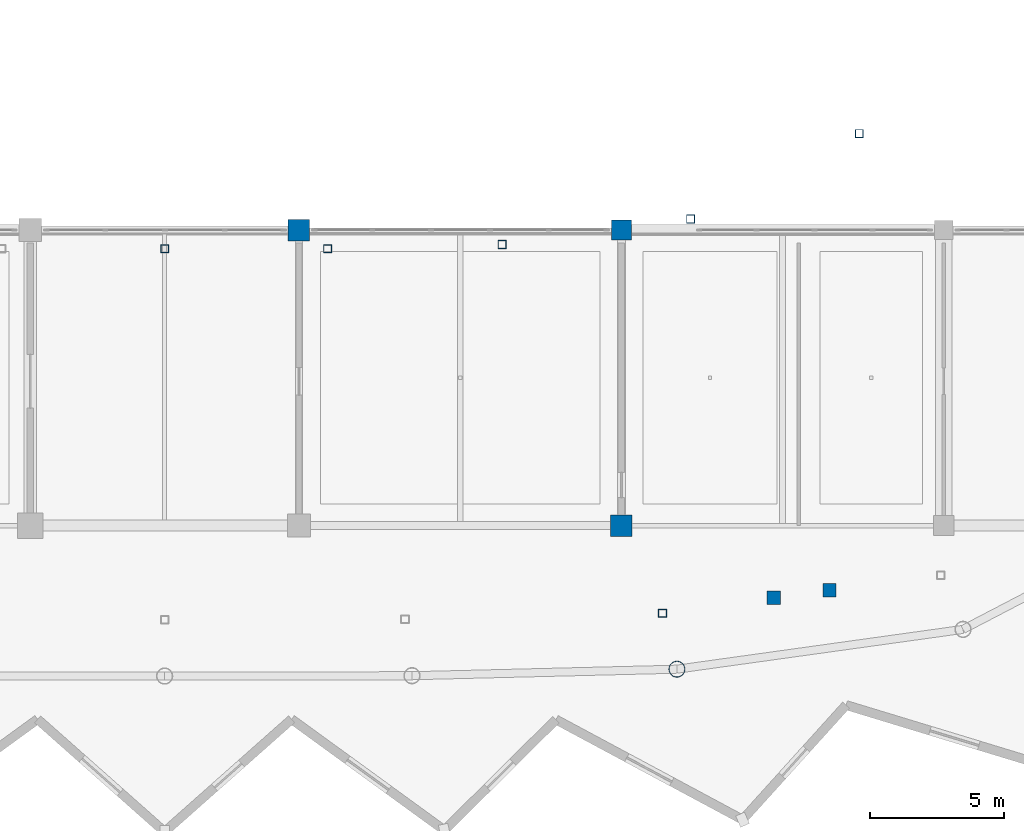
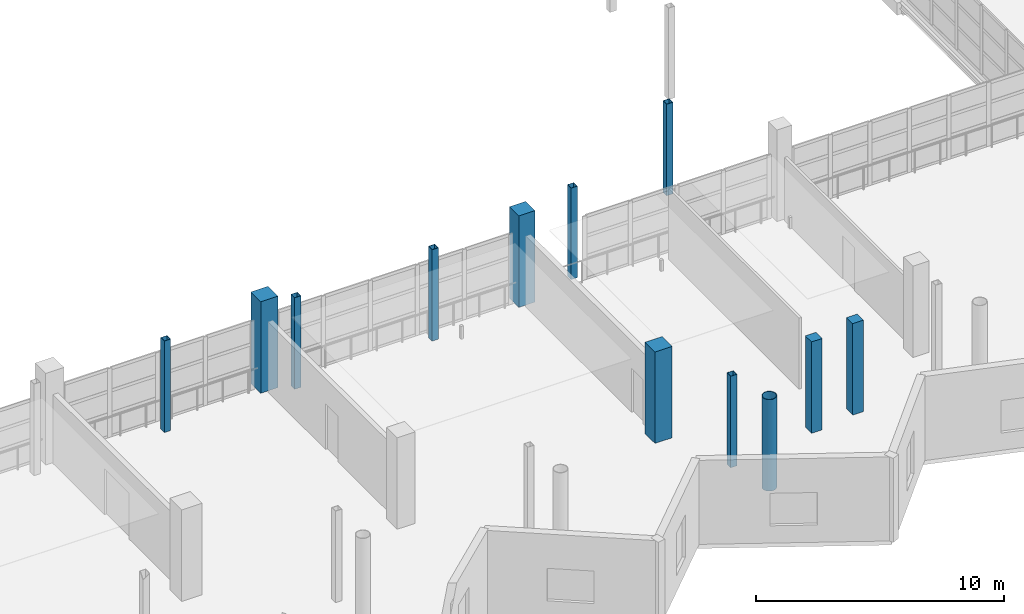
# One storey, part 6 of 118: 12 columns.
"""IFC4 building model written with IfcOpenShell, lengths in metres."""

from ifc_helpers import new_model, si_unit, direction, frame, origin, origin_2d, place, context, subcontext, project, spatial, rectangle, hollow_rectangle, hollow_circle, extrude, material, material_profile, profile_set, type_object, element, save


model = new_model("IFC4")

# Units and contexts
model_context = context("Model", 3, precision=1e-05, world=origin(), true_north=direction((0.0, 1.0)))
body_context = subcontext(model_context, "Body", "Model", "MODEL_VIEW")
ifc_project = project(units=[si_unit("LENGTHUNIT", "METRE"), si_unit("AREAUNIT", "SQUARE_METRE"), si_unit("VOLUMEUNIT", "CUBIC_METRE"), si_unit("PLANEANGLEUNIT", "RADIAN"), si_unit("MASSUNIT", "GRAM", prefix="KILO")], contexts=[model_context])

# Site, building, storey
site_placement = place(None, origin())
site = spatial("IfcSite", under=ifc_project, at=site_placement, CompositionType="ELEMENT")
building_placement = place(site_placement, origin())
building = spatial("IfcBuilding", under=site, at=building_placement, Name="Luwafu Chhajja Arena", CompositionType="ELEMENT")
storey_placement = place(building_placement, frame((0.0, 0.0, 10.199951171875)))
storey = spatial("IfcBuildingStorey", under=building, at=storey_placement, Name="L02", CompositionType="ELEMENT", Elevation=10.199951171875)

# Columns
ifc_material_1 = material(Name="Concrete C35/45", Category="concrete")
ifc_material_profile_1 = material_profile(ifc_material_1, rectangle(XDim=0.800048828125, YDim=0.800048828125, at=origin_2d()), Name="RC 800x800")
ifc_profile_set_1 = profile_set([ifc_material_profile_1], Name="Concrete C35/45")
column_type_1 = type_object("IfcColumnType", Name="Concourse Standard Column RC 800", PredefinedType="COLUMN", material=ifc_profile_set_1)
for number, where, z_axis, x_axis, name in (
    (1, (104.0, 22.0, 0.0), (0.0, 0.0, 1.0), (1.0, 0.0, 0.0), "L02 Grid Column 10/C"),
    (2, (116.0, 11.0, 0.0), (0.0, 0.0, 1.0), (1.0, 0.0, 0.0), "L02 Grid Column 11/B"),
):
    element("IfcColumn", number, at=place(storey_placement, frame(where, z_axis=z_axis, x_axis=x_axis)), inside=storey, type_object=column_type_1, Name=name, PredefinedType="COLUMN", context=body_context, shape_type="SweptSolid", body=[
        extrude(rectangle(XDim=0.800048828125, YDim=0.800048828125, at=origin_2d()), origin(), (0.0, 0.0, 1.0), 4.5),
    ])
ifc_material_profile_2 = material_profile(ifc_material_1, rectangle(XDim=0.75, YDim=0.75, at=origin_2d()), Name="RC 750x750")
ifc_profile_set_2 = profile_set([ifc_material_profile_2], Name="Concrete C35/45")
column_type_2 = type_object("IfcColumnType", Name="Hospitality Ring Column RC 750", PredefinedType="COLUMN", material=ifc_profile_set_2)
column_1_placement = place(storey_placement, frame((116.0, 22.0, 0.0), z_axis=(0.0, 0.0, 1.0), x_axis=(1.0, 0.0, 0.0)))
element("IfcColumn", 3, at=column_1_placement, inside=storey, type_object=column_type_2, Name="L02 Grid Column 11/C", PredefinedType="COLUMN", context=body_context, shape_type="SweptSolid", body=[
    extrude(rectangle(XDim=0.75, YDim=0.75, at=origin_2d()), origin(), (0.0, 0.0, 1.0), 4.5),
])
ifc_material_profile_3 = material_profile(ifc_material_1, rectangle(XDim=0.5, YDim=0.5, at=origin_2d()), Name="RC 500x500")
ifc_profile_set_3 = profile_set([ifc_material_profile_3], Name="Concrete C35/45")
column_type_3 = type_object("IfcColumnType", Name="Pavilion Column RC 500", PredefinedType="COLUMN", material=ifc_profile_set_3)
for number, where, z_axis, x_axis, name in (
    (4, (121.667236328125, 8.306884765625, 0.0), (0.0, 0.0, 1.0), (1.0, 0.0, 0.0), "L02 Vomitory Stack Column VU27A"),
    (5, (123.748046875, 8.5908203125, 0.0), (0.0, 0.0, 1.0), (1.0, 0.0, 0.0), "L02 Vomitory Stack Column VU27B"),
):
    element("IfcColumn", number, at=place(storey_placement, frame(where, z_axis=z_axis, x_axis=x_axis)), inside=storey, type_object=column_type_3, Name=name, PredefinedType="COLUMN", context=body_context, shape_type="SweptSolid", body=[
        extrude(rectangle(XDim=0.5, YDim=0.5, at=origin_2d()), origin(), (0.0, 0.0, 1.0), 4.5),
    ])
ifc_material_2 = material(Name="Steel S355", Category="steel")
ifc_material_profile_4 = material_profile(ifc_material_2, hollow_circle(Radius=0.304931640625, WallThickness=0.02490234375, at=origin_2d()), Name="CHS 610x25")
ifc_profile_set_4 = profile_set([ifc_material_profile_4], Name="Steel S355")
column_type_4 = type_object("IfcColumnType", Name="Steel Bowl Drum Column CHS 610", PredefinedType="COLUMN", material=ifc_profile_set_4)
column_2_placement = place(storey_placement, frame((118.067138671875, 5.6552734375, 0.0), z_axis=(0.0, 0.0, 1.0), x_axis=(1.0, 0.0, 0.0)))
element("IfcColumn", 6, at=column_2_placement, inside=storey, type_object=column_type_4, Name="L02 Bowl Drum Column D27", PredefinedType="COLUMN", context=body_context, shape_type="SweptSolid", body=[
    extrude(hollow_circle(Radius=0.304931640625, WallThickness=0.02490234375, at=origin_2d()), origin(), (0.0, 0.0, 1.0), 4.5),
])
ifc_material_profile_5 = material_profile(ifc_material_2, hollow_rectangle(XDim=0.300048828125, YDim=0.300048828125, WallThickness=0.01611328125, at=origin_2d()), Name="SHS 300x300x16")
ifc_profile_set_5 = profile_set([ifc_material_profile_5], Name="Steel S355")
column_type_5 = type_object("IfcColumnType", Name="Steel Gallery Post SHS 300", PredefinedType="COLUMN", material=ifc_profile_set_5)
for number, where, z_axis, x_axis, name in (
    (7, (99.0, 21.300048828125, 0.0), (0.0, 0.0, 1.0), (1.0, 0.0, 0.0), "L02 Upper Bowl Raker Column UI25"),
    (8, (105.065185546875, 21.3076171875, 0.0), (0.0, 0.0, 1.0), (1.0, 0.0, 0.0), "L02 Upper Bowl Raker Column UI26"),
    (9, (111.560302734375, 21.463134765625, 0.0), (0.0, 0.0, 1.0), (1.0, 0.0, 0.0), "L02 Upper Bowl Raker Column UI27"),
    (10, (118.57666015625, 22.410888671875, 0.0), (0.0, 0.0, 1.0), (1.0, 0.0, 0.0), "L02 Upper Bowl Raker Column UI28"),
    (11, (124.85986328125, 25.590087890625, 0.0), (0.0, 0.0, 1.0), (1.0, 0.0, 0.0), "L02 Upper Bowl Raker Column UI29"),
    (12, (117.53173828125, 7.7431640625, 0.0), (0.0, 0.0, 1.0), (1.0, 0.0, 0.0), "L02 Upper Bowl Raker Column UO27"),
):
    element("IfcColumn", number, at=place(storey_placement, frame(where, z_axis=z_axis, x_axis=x_axis)), inside=storey, type_object=column_type_5, Name=name, PredefinedType="COLUMN", context=body_context, shape_type="SweptSolid", body=[
        extrude(hollow_rectangle(XDim=0.300048828125, YDim=0.300048828125, WallThickness=0.01611328125, at=origin_2d()), origin(), (0.0, 0.0, 1.0), 4.5),
    ])

save(model, "model.ifc")
